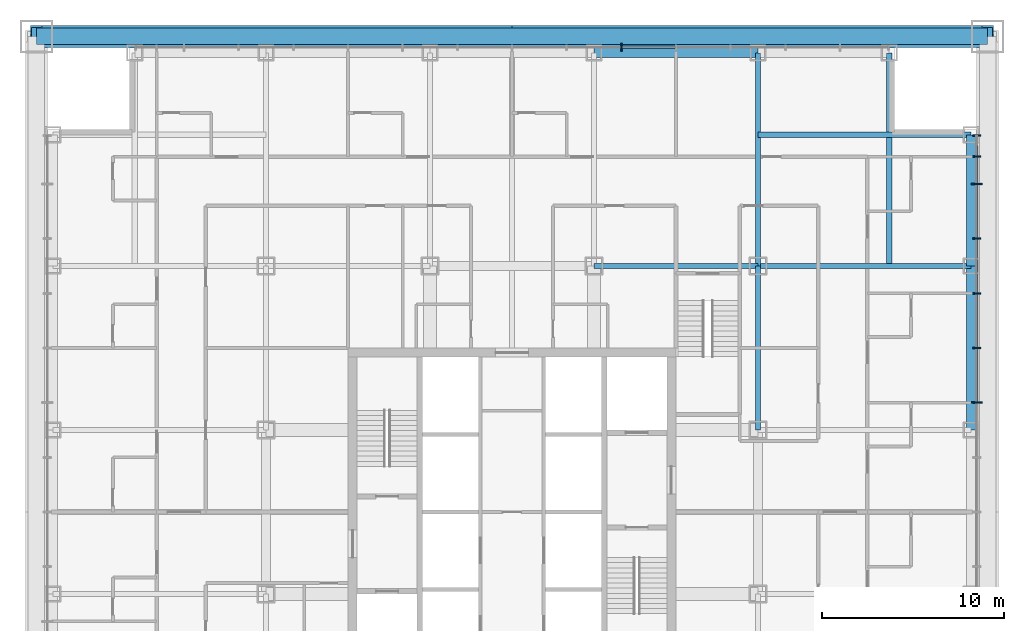
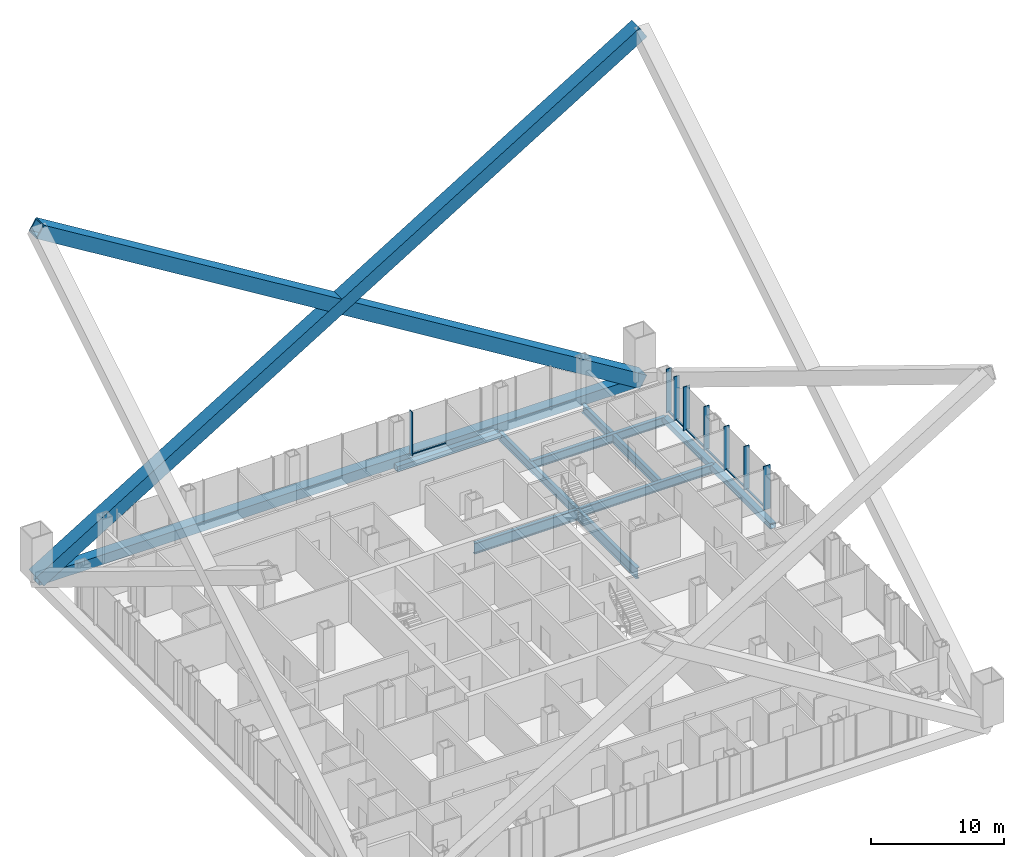
# One storey, part 9 of 21: 18 members, 9 beams, 2 elements without a shape of their own.
"""IFC4 building model written with IfcOpenShell, lengths in metres."""

from ifc_helpers import new_model, si_unit, direction, frame, origin, origin_2d, place, context, subcontext, project, spatial, rectangle, hollow_rectangle, i_section, extrude, material, layer, layer_set, material_profile, profile_set, type_object, element, aggregate, save


model = new_model("IFC4")

# Units and contexts
model_context = context("Model", 3, precision=1e-05, world=origin(), true_north=direction((0.0, 1.0)))
body_context = subcontext(model_context, "Body", "Model", "MODEL_VIEW")
ifc_project = project(units=[si_unit("LENGTHUNIT", "METRE"), si_unit("AREAUNIT", "SQUARE_METRE"), si_unit("VOLUMEUNIT", "CUBIC_METRE"), si_unit("PLANEANGLEUNIT", "RADIAN"), si_unit("MASSUNIT", "GRAM", prefix="KILO")], contexts=[model_context])

# Site, building, storey
site_placement = place(None, origin())
site = spatial("IfcSite", under=ifc_project, at=site_placement, CompositionType="ELEMENT")
building_placement = place(site_placement, origin())
building = spatial("IfcBuilding", under=site, at=building_placement, Name="Malebo Sky Hospital", CompositionType="ELEMENT")
storey_placement = place(building_placement, frame((0.0, 0.0, 31.0)))
storey = spatial("IfcBuildingStorey", under=building, at=storey_placement, Name="L06", CompositionType="ELEMENT", Elevation=31.0)

# Curtain wall, member
ifc_material_1 = material(Name="Anodised aluminium, natural silver", Category="aluminium")
ifc_layer_1 = layer(ifc_material_1, 0.25)
ifc_layer_set_1 = layer_set([ifc_layer_1], Name="WARD CURTAIN WALL NORTH AND SOUTH")
curtain_wall_type_1 = type_object("IfcCurtainWallType", Name="WARD CURTAIN WALL NORTH AND SOUTH", PredefinedType="NOTDEFINED", material=ifc_layer_set_1)
curtain_wall_1_placement = place(storey_placement, origin())
curtain_wall_1 = element("IfcCurtainWall", 1, at=curtain_wall_1_placement, inside=storey, type_object=curtain_wall_type_1, Name="NS curtain wall N", PredefinedType="NOTDEFINED")
ifc_material_profile_1 = material_profile(ifc_material_1, rectangle(XDim=0.14990234375, YDim=0.10009765625, at=origin_2d()), Name="ALUMINIUM TRANSOM 150x100")
ifc_profile_set_1 = profile_set([ifc_material_profile_1], Name="Anodised aluminium, natural silver")
member_type_1 = type_object("IfcMemberType", Name="ALUMINIUM TRANSOM 150x100", PredefinedType="USERDEFINED", material=ifc_profile_set_1)
member_1_placement = place(storey_placement, frame((66.03759765625, 87.5, 0.050048828125), z_axis=(1.0, 0.0, 0.0), x_axis=(0.0, 1.0, 0.0)))
member_1 = element("IfcMember", 2, at=member_1_placement, type_object=member_type_1, Name="Transom 11", ObjectType="TRANSOM", PredefinedType="USERDEFINED", context=body_context, shape_type="SweptSolid", body=[
    extrude(rectangle(XDim=0.14990234375, YDim=0.10009765625, at=origin_2d()), origin(), (0.0, 0.0, 1.0), 2.9248046875),
])

# Curtain wall, members
ifc_layer_2 = layer(ifc_material_1, 0.25)
ifc_layer_set_2 = layer_set([ifc_layer_2], Name="WARD CURTAIN WALL EAST AND WEST")
curtain_wall_type_2 = type_object("IfcCurtainWallType", Name="WARD CURTAIN WALL EAST AND WEST", PredefinedType="NOTDEFINED", material=ifc_layer_set_2)
curtain_wall_2_placement = place(storey_placement, origin())
curtain_wall_2 = element("IfcCurtainWall", 3, at=curtain_wall_2_placement, inside=storey, type_object=curtain_wall_type_2, Name="EW curtain wall E", PredefinedType="NOTDEFINED")
member_2_placement = place(storey_placement, frame((85.5, 82.625, 0.050048828125), z_axis=(0.0, -1.0, 0.0), x_axis=(1.0, 0.0, 0.0)))
member_2 = element("IfcMember", 4, at=member_2_placement, type_object=member_type_1, Name="Transom 1", ObjectType="TRANSOM", PredefinedType="USERDEFINED", context=body_context, shape_type="SweptSolid", body=[
    extrude(rectangle(XDim=0.14990234375, YDim=0.10009765625, at=origin_2d()), origin(), (0.0, 0.0, 1.0), 1.08740234375),
])
member_3_placement = place(storey_placement, frame((85.5, 81.46240234375, 0.050048828125), z_axis=(0.0, -1.0, 0.0), x_axis=(1.0, 0.0, 0.0)))
member_3 = element("IfcMember", 5, at=member_3_placement, type_object=member_type_1, Name="Transom 2", ObjectType="TRANSOM", PredefinedType="USERDEFINED", context=body_context, shape_type="SweptSolid", body=[
    extrude(rectangle(XDim=0.14990234375, YDim=0.10009765625, at=origin_2d()), origin(), (0.0, 0.0, 1.0), 1.4248046875),
])
member_4_placement = place(storey_placement, frame((85.5, 79.96240234375, 0.050048828125), z_axis=(0.0, -1.0, 0.0), x_axis=(1.0, 0.0, 0.0)))
member_4 = element("IfcMember", 6, at=member_4_placement, type_object=member_type_1, Name="Transom 3", ObjectType="TRANSOM", PredefinedType="USERDEFINED", context=body_context, shape_type="SweptSolid", body=[
    extrude(rectangle(XDim=0.14990234375, YDim=0.10009765625, at=origin_2d()), origin(), (0.0, 0.0, 1.0), 2.9248046875),
])
member_5_placement = place(storey_placement, frame((85.5, 76.96240234375, 0.050048828125), z_axis=(0.0, -1.0, 0.0), x_axis=(1.0, 0.0, 0.0)))
member_5 = element("IfcMember", 7, at=member_5_placement, type_object=member_type_1, Name="Transom 4", ObjectType="TRANSOM", PredefinedType="USERDEFINED", context=body_context, shape_type="SweptSolid", body=[
    extrude(rectangle(XDim=0.14990234375, YDim=0.10009765625, at=origin_2d()), origin(), (0.0, 0.0, 1.0), 2.9248046875),
])
member_6_placement = place(storey_placement, frame((85.5, 73.96240234375, 0.050048828125), z_axis=(0.0, -1.0, 0.0), x_axis=(1.0, 0.0, 0.0)))
member_6 = element("IfcMember", 8, at=member_6_placement, type_object=member_type_1, Name="Transom 5", ObjectType="TRANSOM", PredefinedType="USERDEFINED", context=body_context, shape_type="SweptSolid", body=[
    extrude(rectangle(XDim=0.14990234375, YDim=0.10009765625, at=origin_2d()), origin(), (0.0, 0.0, 1.0), 2.9248046875),
])
member_7_placement = place(storey_placement, frame((85.5, 70.96240234375, 0.050048828125), z_axis=(0.0, -1.0, 0.0), x_axis=(1.0, 0.0, 0.0)))
member_7 = element("IfcMember", 9, at=member_7_placement, type_object=member_type_1, Name="Transom 6", ObjectType="TRANSOM", PredefinedType="USERDEFINED", context=body_context, shape_type="SweptSolid", body=[
    extrude(rectangle(XDim=0.14990234375, YDim=0.10009765625, at=origin_2d()), origin(), (0.0, 0.0, 1.0), 2.9248046875),
])

# Member
ifc_material_profile_2 = material_profile(ifc_material_1, rectangle(XDim=0.074951171875, YDim=0.449951171875, at=origin_2d()), Name="CW1 ALUMINIUM FIN MULLION 75x450")
ifc_profile_set_2 = profile_set([ifc_material_profile_2], Name="Anodised aluminium, natural silver")
member_type_2 = type_object("IfcMemberType", Name="CW1 ALUMINIUM FIN MULLION 75x450", PredefinedType="MULLION", material=ifc_profile_set_2)
member_8_placement = place(storey_placement, frame((66.0, 87.5, 0.0), z_axis=(0.0, 0.0, 1.0), x_axis=(1.0, 0.0, 0.0)))
member_8 = element("IfcMember", 10, at=member_8_placement, type_object=member_type_2, Name="Fin mullion 11", PredefinedType="MULLION", context=body_context, shape_type="SweptSolid", body=[
    extrude(rectangle(XDim=0.074951171875, YDim=0.449951171875, at=origin_2d()), origin(), (0.0, 0.0, 1.0), 4.0),
])

aggregate(curtain_wall_1, [member_8, member_1])

ifc_material_profile_3 = material_profile(ifc_material_1, rectangle(XDim=0.074951171875, YDim=0.449951171875, at=origin_2d()), Name="CW2 ALUMINIUM FIN MULLION 75x450")
ifc_profile_set_3 = profile_set([ifc_material_profile_3], Name="Anodised aluminium, natural silver")
member_type_3 = type_object("IfcMemberType", Name="CW2 ALUMINIUM FIN MULLION 75x450", PredefinedType="MULLION", material=ifc_profile_set_3)
member_9_placement = place(storey_placement, frame((85.5, 82.66259765625, 0.0), z_axis=(0.0, 0.0, 1.0), x_axis=(0.0, -1.0, 0.0)))
member_9 = element("IfcMember", 11, at=member_9_placement, type_object=member_type_3, Name="Fin mullion 1", PredefinedType="MULLION", context=body_context, shape_type="SweptSolid", body=[
    extrude(rectangle(XDim=0.074951171875, YDim=0.449951171875, at=origin_2d()), origin(), (0.0, 0.0, 1.0), 4.0),
])

member_10_placement = place(storey_placement, frame((85.5, 81.5, 0.0), z_axis=(0.0, 0.0, 1.0), x_axis=(0.0, -1.0, 0.0)))
member_10 = element("IfcMember", 12, at=member_10_placement, type_object=member_type_3, Name="Fin mullion 2", PredefinedType="MULLION", context=body_context, shape_type="SweptSolid", body=[
    extrude(rectangle(XDim=0.074951171875, YDim=0.449951171875, at=origin_2d()), origin(), (0.0, 0.0, 1.0), 4.0),
])

member_11_placement = place(storey_placement, frame((85.5, 77.0, 0.0), z_axis=(0.0, 0.0, 1.0), x_axis=(0.0, -1.0, 0.0)))
member_11 = element("IfcMember", 13, at=member_11_placement, type_object=member_type_3, Name="Fin mullion 4", PredefinedType="MULLION", context=body_context, shape_type="SweptSolid", body=[
    extrude(rectangle(XDim=0.074951171875, YDim=0.449951171875, at=origin_2d()), origin(), (0.0, 0.0, 1.0), 4.0),
])

member_12_placement = place(storey_placement, frame((85.5, 74.0, 0.0), z_axis=(0.0, 0.0, 1.0), x_axis=(0.0, -1.0, 0.0)))
member_12 = element("IfcMember", 14, at=member_12_placement, type_object=member_type_3, Name="Fin mullion 5", PredefinedType="MULLION", context=body_context, shape_type="SweptSolid", body=[
    extrude(rectangle(XDim=0.074951171875, YDim=0.449951171875, at=origin_2d()), origin(), (0.0, 0.0, 1.0), 4.0),
])

member_13_placement = place(storey_placement, frame((85.5, 71.0, 0.0), z_axis=(0.0, 0.0, 1.0), x_axis=(0.0, -1.0, 0.0)))
member_13 = element("IfcMember", 15, at=member_13_placement, type_object=member_type_3, Name="Fin mullion 6", PredefinedType="MULLION", context=body_context, shape_type="SweptSolid", body=[
    extrude(rectangle(XDim=0.074951171875, YDim=0.449951171875, at=origin_2d()), origin(), (0.0, 0.0, 1.0), 4.0),
])

ifc_material_profile_4 = material_profile(ifc_material_1, rectangle(XDim=0.074951171875, YDim=0.60009765625, at=origin_2d()), Name="CW2 ALUMINIUM FIN MULLION 75x600")
ifc_profile_set_4 = profile_set([ifc_material_profile_4], Name="Anodised aluminium, natural silver")
member_type_4 = type_object("IfcMemberType", Name="CW2 ALUMINIUM FIN MULLION 75x600", PredefinedType="MULLION", material=ifc_profile_set_4)
member_14_placement = place(storey_placement, frame((85.5, 80.0, 0.0), z_axis=(0.0, 0.0, 1.0), x_axis=(0.0, -1.0, 0.0)))
member_14 = element("IfcMember", 16, at=member_14_placement, type_object=member_type_4, Name="Fin mullion 3", PredefinedType="MULLION", context=body_context, shape_type="SweptSolid", body=[
    extrude(rectangle(XDim=0.074951171875, YDim=0.60009765625, at=origin_2d()), origin(), (0.0, 0.0, 1.0), 4.0),
])

member_15_placement = place(storey_placement, frame((85.5, 68.0, 0.0), z_axis=(0.0, 0.0, 1.0), x_axis=(0.0, -1.0, 0.0)))
member_15 = element("IfcMember", 17, at=member_15_placement, type_object=member_type_4, Name="Fin mullion 7", PredefinedType="MULLION", context=body_context, shape_type="SweptSolid", body=[
    extrude(rectangle(XDim=0.074951171875, YDim=0.60009765625, at=origin_2d()), origin(), (0.0, 0.0, 1.0), 4.0),
])

aggregate(curtain_wall_2, [member_9, member_10, member_14, member_11, member_12, member_13, member_15, member_2, member_3, member_4, member_5, member_6, member_7])

# Beams
ifc_material_2 = material(Name="Steel S460", Category="steel")
ifc_material_profile_5 = material_profile(ifc_material_2, hollow_rectangle(XDim=0.5, YDim=0.5, WallThickness=0.030029296875, at=origin_2d()), Name="BOX 500x500x30")
ifc_profile_set_5 = profile_set([ifc_material_profile_5], Name="Steel S460")
beam_type_1 = type_object("IfcBeamType", Name="EDGE BEAM BOX 500x500x30", PredefinedType="BEAM", material=ifc_profile_set_5)
beam_1_placement = place(storey_placement, frame((85.199951171875, 66.5, -0.5), z_axis=(0.0, 1.0, 0.0), x_axis=(-1.0, 0.0, 0.0)))
element("IfcBeam", 18, at=beam_1_placement, inside=storey, type_object=beam_type_1, Name="Beam 032 L06", PredefinedType="BEAM", context=body_context, shape_type="SweptSolid", body=[
    extrude(hollow_rectangle(XDim=0.5, YDim=0.5, WallThickness=0.030029296875, at=origin_2d()), origin(), (0.0, 0.0, 1.0), 9.0),
])
beam_2_placement = place(storey_placement, frame((85.199951171875, 75.5, -0.5), z_axis=(0.0, 1.0, 0.0), x_axis=(-1.0, 0.0, 0.0)))
element("IfcBeam", 19, at=beam_2_placement, inside=storey, type_object=beam_type_1, Name="Beam 033 L06", PredefinedType="BEAM", context=body_context, shape_type="SweptSolid", body=[
    extrude(hollow_rectangle(XDim=0.5, YDim=0.5, WallThickness=0.030029296875, at=origin_2d()), origin(), (0.0, 0.0, 1.0), 7.199951171875),
])
beam_3_placement = place(storey_placement, frame((64.5, 87.199951171875, -0.5), z_axis=(1.0, 0.0, 0.0), x_axis=(0.0, 1.0, 0.0)))
element("IfcBeam", 20, at=beam_3_placement, inside=storey, type_object=beam_type_1, Name="Beam 066 L06", PredefinedType="BEAM", context=body_context, shape_type="SweptSolid", body=[
    extrude(hollow_rectangle(XDim=0.5, YDim=0.5, WallThickness=0.030029296875, at=origin_2d()), origin(), (0.0, 0.0, 1.0), 9.0),
])
ifc_material_3 = material(Name="Steel S355", Category="steel")
ifc_material_profile_6 = material_profile(ifc_material_3, i_section(OverallWidth=0.300048828125, OverallDepth=1.0, WebThickness=0.01904296875, FlangeThickness=0.035888671875, FilletRadius=0.030029296875, at=origin_2d()), Name="HEB 1000")
ifc_profile_set_6 = profile_set([ifc_material_profile_6], Name="Steel S355")
beam_type_2 = type_object("IfcBeamType", Name="FLOOR BEAM HEB 1000", PredefinedType="BEAM", material=ifc_profile_set_6)
for number, where, z_axis, x_axis, name in (
    (21, (73.5, 66.5, -0.75), (0.0, 1.0, 0.0), (-1.0, 0.0, 0.0), "Beam 025 L06"),
    (22, (64.5, 75.5, -0.75), (1.0, 0.0, 0.0), (0.0, 1.0, 0.0), "Beam 059 L06"),
):
    element("IfcBeam", number, at=place(storey_placement, frame(where, z_axis=z_axis, x_axis=x_axis)), inside=storey, type_object=beam_type_2, Name=name, PredefinedType="BEAM", context=body_context, shape_type="SweptSolid", body=[
        extrude(i_section(OverallWidth=0.300048828125, OverallDepth=1.0, WebThickness=0.01904296875, FlangeThickness=0.035888671875, FilletRadius=0.030029296875, at=origin_2d()), origin(), (0.0, 0.0, 1.0), 9.0),
    ])
ifc_material_profile_7 = material_profile(ifc_material_3, i_section(OverallWidth=0.300048828125, OverallDepth=0.800048828125, WebThickness=0.017578125, FlangeThickness=0.032958984375, FilletRadius=0.030029296875, at=origin_2d()), Name="HEB 800")
ifc_profile_set_7 = profile_set([ifc_material_profile_7], Name="Steel S355")
beam_type_3 = type_object("IfcBeamType", Name="FLOOR BEAM HEB 800", PredefinedType="BEAM", material=ifc_profile_set_7)
for number, where, z_axis, x_axis, name in (
    (23, (80.699951171875, 75.5, -0.64990234375), (0.0, 1.0, 0.0), (-1.0, 0.0, 0.0), "Beam 028 L06"),
    (24, (73.5, 82.699951171875, -0.64990234375), (1.0, 0.0, 0.0), (0.0, 1.0, 0.0), "Beam 062 L06"),
):
    element("IfcBeam", number, at=place(storey_placement, frame(where, z_axis=z_axis, x_axis=x_axis)), inside=storey, type_object=beam_type_3, Name=name, PredefinedType="BEAM", context=body_context, shape_type="SweptSolid", body=[
        extrude(i_section(OverallWidth=0.300048828125, OverallDepth=0.800048828125, WebThickness=0.017578125, FlangeThickness=0.032958984375, FilletRadius=0.030029296875, at=origin_2d()), origin(), (0.0, 0.0, 1.0), 11.699951171875),
    ])
ifc_material_profile_8 = material_profile(ifc_material_3, i_section(OverallWidth=0.300048828125, OverallDepth=0.800048828125, WebThickness=0.017578125, FlangeThickness=0.032958984375, FilletRadius=0.030029296875, at=origin_2d()), Name="HEB 800")
ifc_profile_set_8 = profile_set([ifc_material_profile_8], Name="Steel S355")
beam_type_4 = type_object("IfcBeamType", Name="FLOOR GIRDER HEB 800", PredefinedType="BEAM", material=ifc_profile_set_8)
for number, where, z_axis, x_axis, name in (
    (25, (73.5, 75.5, -0.64990234375), (0.0, 1.0, 0.0), (-1.0, 0.0, 0.0), "Beam 026 L06"),
    (26, (73.5, 75.5, -0.64990234375), (1.0, 0.0, 0.0), (0.0, 1.0, 0.0), "Beam 060 L06"),
):
    element("IfcBeam", number, at=place(storey_placement, frame(where, z_axis=z_axis, x_axis=x_axis)), inside=storey, type_object=beam_type_4, Name=name, PredefinedType="BEAM", context=body_context, shape_type="SweptSolid", body=[
        extrude(i_section(OverallWidth=0.300048828125, OverallDepth=0.800048828125, WebThickness=0.017578125, FlangeThickness=0.032958984375, FilletRadius=0.030029296875, at=origin_2d()), origin(), (0.0, 0.0, 1.0), 11.699951171875),
    ])

# Members
ifc_material_profile_9 = material_profile(ifc_material_2, hollow_rectangle(XDim=1.199951171875, YDim=1.199951171875, WallThickness=0.10009765625, at=origin_2d()), Name="BOX 1200x1200x100")
ifc_profile_set_9 = profile_set([ifc_material_profile_9], Name="Steel S460")
member_type_5 = type_object("IfcMemberType", Name="MEGA BRACE BOX 1200x1200x100", PredefinedType="BRACE", material=ifc_profile_set_9)
for number, where, z_axis, x_axis, name in (
    (27, (86.10009765625, 88.10009765625, -0.39990234375), (-0.85255517375, 0.0, 0.522637231464), (0.0, -1.0, 0.0), "Mega brace A1N1 L06-L14"),
    (28, (33.89990234375, 88.10009765625, -0.39990234375), (0.85255517375, 0.0, 0.522637231464), (0.0, 1.0, 0.0), "Mega brace A1N2 L06-L14"),
):
    element("IfcMember", number, at=place(storey_placement, frame(where, z_axis=z_axis, x_axis=x_axis)), inside=storey, type_object=member_type_5, Name=name, PredefinedType="BRACE", context=body_context, shape_type="SweptSolid", body=[
        extrude(hollow_rectangle(XDim=1.199951171875, YDim=1.199951171875, WallThickness=0.10009765625, at=origin_2d()), origin(), (0.0, 0.0, 1.0), 61.22802734375),
    ])
ifc_material_profile_10 = material_profile(ifc_material_2, hollow_rectangle(XDim=0.89990234375, YDim=0.89990234375, WallThickness=0.050048828125, at=origin_2d()), Name="BOX 900x900x50")
ifc_profile_set_10 = profile_set([ifc_material_profile_10], Name="Steel S460")
member_type_6 = type_object("IfcMemberType", Name="MEGA TIE BOX 900x900x50", PredefinedType="CHORD", material=ifc_profile_set_10)
member_16_placement = place(storey_placement, frame((86.10009765625, 88.10009765625, -0.39990234375), z_axis=(-1.0, 0.0, 0.0), x_axis=(0.0, -1.0, 0.0)))
element("IfcMember", 29, at=member_16_placement, inside=storey, type_object=member_type_6, Name="Mega tie AN L06", PredefinedType="CHORD", context=body_context, shape_type="SweptSolid", body=[
    extrude(hollow_rectangle(XDim=0.89990234375, YDim=0.89990234375, WallThickness=0.050048828125, at=origin_2d()), origin(), (0.0, 0.0, 1.0), 52.2001953125),
])

save(model, "model.ifc")
